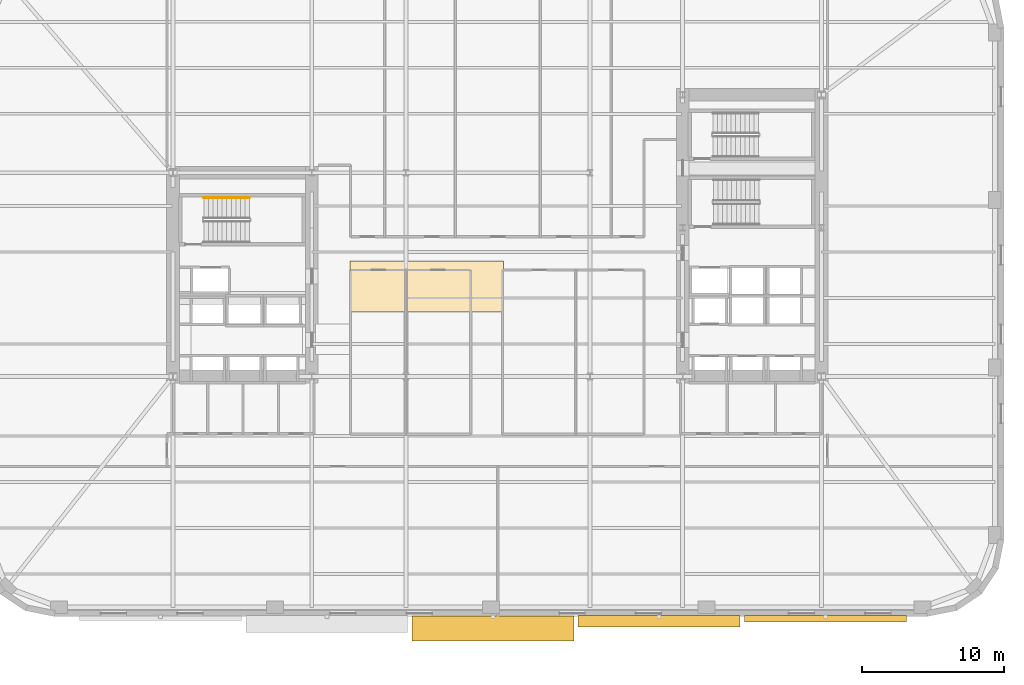
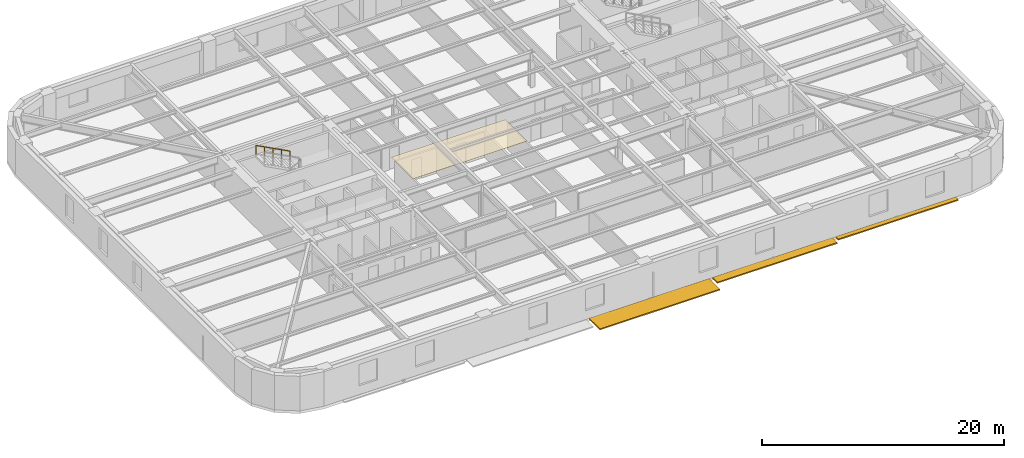
# One storey, part 10 of 14: 3 shading devices, 1 covering, 1 railing.
"""IFC4 building model written with IfcOpenShell, lengths in metres."""

from ifc_helpers import new_model, si_unit, direction, frame, origin, origin_2d, place, context, subcontext, project, spatial, polyline, rectangle, circle, outline, extrude, material, layer, layer_set, type_object, element, save


model = new_model("IFC4")

# Units and contexts
model_context = context("Model", 3, precision=1e-05, world=origin(), true_north=direction((0.0, 1.0)))
body_context = subcontext(model_context, "Body", "Model", "MODEL_VIEW")
ifc_project = project(units=[si_unit("LENGTHUNIT", "METRE"), si_unit("AREAUNIT", "SQUARE_METRE"), si_unit("VOLUMEUNIT", "CUBIC_METRE"), si_unit("PLANEANGLEUNIT", "RADIAN"), si_unit("MASSUNIT", "GRAM", prefix="KILO")], contexts=[model_context])

# Site, building, storey
site_placement = place(None, origin())
site = spatial("IfcSite", under=ifc_project, at=site_placement, CompositionType="ELEMENT")
building_placement = place(site_placement, origin())
building = spatial("IfcBuilding", under=site, at=building_placement, Name="Kolvaren Arena Tower", CompositionType="ELEMENT")
storey_placement = place(building_placement, frame((0.0, 0.0, 87.0)))
storey = spatial("IfcBuildingStorey", under=building, at=storey_placement, Name="L19", CompositionType="ELEMENT", Elevation=87.0)

# Covering
ifc_material_1 = material(Name="Mineral fibre acoustic ceiling tile", Category="gypsum")
ifc_layer = layer(ifc_material_1, 0.02490234375)
ifc_layer_set = layer_set([ifc_layer], Name="Mineral fibre acoustic ceiling tile")
covering_type = type_object("IfcCoveringType", Name="CEIL-ACT-1", PredefinedType="CEILING", material=ifc_layer_set)
covering_placement = place(storey_placement, frame((0.0, 0.0, 2.52001953125)))
element("IfcCovering", 1, at=covering_placement, inside=storey, type_object=covering_type, Name="Suspended Ceiling (L19)", PredefinedType="CEILING", context=body_context, shape_type="SweptSolid", body=[
    extrude(outline(polyline([(27.050048828125, 24.0), (27.050048828125, 27.60009765625), (37.89990234375, 27.60009765625), (37.89990234375, 24.0), (27.050048828125, 24.0)])), origin(), (0.0, 0.0, 1.0), 0.02490234375),
])

# Railing
ifc_material_2 = material(Name="Brushed stainless steel handrail", Category="steel")
railing_type = type_object("IfcRailingType", Name="HRAIL-900", PredefinedType="HANDRAIL", material=ifc_material_2)
railing_placement = place(storey_placement, frame((19.9599609375, 32.080078125, 2.04541015625)))
element("IfcRailing", 2, at=railing_placement, inside=storey, type_object=railing_type, Name="L19 ST-W1 stair handrail 2", PredefinedType="HANDRAIL", context=body_context, shape_type="SweptSolid", body=[
    extrude(circle(Radius=0.02392578125, at=origin_2d()), frame((0.0, 0.0, 0.8759765625), z_axis=(-0.884993431791, 0.0, 0.465603506952), x_axis=(0.0, -1.0, 0.0)), (0.0, 0.0, 1.0), 3.6611328125),
    extrude(circle(Radius=0.02099609375, at=origin_2d()), origin(), (0.0, 0.0, 1.0), 0.851806640625),
    extrude(circle(Radius=0.02099609375, at=origin_2d()), frame((-0.81005859375, 0.0, 0.42626953125)), (0.0, 0.0, 1.0), 0.851806640625),
    extrude(circle(Radius=0.02099609375, at=origin_2d()), frame((-1.6201171875, 0.0, 0.852294921875)), (0.0, 0.0, 1.0), 0.851806640625),
    extrude(circle(Radius=0.02099609375, at=origin_2d()), frame((-2.429931640625, 0.0, 1.2783203125)), (0.0, 0.0, 1.0), 0.851806640625),
    extrude(circle(Radius=0.02099609375, at=origin_2d()), frame((-3.239990234375, 0.0, 1.70458984375)), (0.0, 0.0, 1.0), 0.851806640625),
])

# Shading devices
ifc_material_3 = material(Name="Architectural precast GFRC and anodised aluminium sunshade", Category="concrete")
shading_device_type_1 = type_object("IfcShadingDeviceType", Name="SHAD-SINE-A", PredefinedType="USERDEFINED", material=ifc_material_3)
shading_device_1_placement = place(storey_placement, frame((60.6298828125, 2.334228515625, -0.14013671875), z_axis=(0.0, 0.0, 1.0), x_axis=(-1.0, 0.0, 0.0)))
element("IfcShadingDevice", 3, at=shading_device_1_placement, inside=storey, type_object=shading_device_type_1, Name="Sinusoidal Slab-Edge Sunshade Louvre (L19)", ObjectType="LOUVRE", PredefinedType="USERDEFINED", context=body_context, shape_type="SweptSolid", body=[
    extrude(rectangle(XDim=11.43994140625, YDim=0.431640625, at=origin_2d()), origin(), (0.0, 0.0, 1.0), 0.1201171875),
])
shading_device_2_placement = place(storey_placement, frame((48.889892578125, 2.14599609375, -0.14013671875), z_axis=(0.0, 0.0, 1.0), x_axis=(-1.0, 0.0, 0.0)))
element("IfcShadingDevice", 4, at=shading_device_2_placement, inside=storey, type_object=shading_device_type_1, Name="Sinusoidal Slab-Edge Sunshade Louvre (L19)", ObjectType="LOUVRE", PredefinedType="USERDEFINED", context=body_context, shape_type="SweptSolid", body=[
    extrude(rectangle(XDim=11.43994140625, YDim=0.80810546875, at=origin_2d()), origin(), (0.0, 0.0, 1.0), 0.1201171875),
])
shading_device_type_2 = type_object("IfcShadingDeviceType", Name="SHAD-SINE-B", PredefinedType="JALOUSIE", material=ifc_material_3)
shading_device_3_placement = place(storey_placement, frame((37.14990234375, 1.66357421875, -0.14013671875), z_axis=(0.0, 0.0, 1.0), x_axis=(-1.0, 0.0, 0.0)))
element("IfcShadingDevice", 5, at=shading_device_3_placement, inside=storey, type_object=shading_device_type_2, Name="Sinusoidal Slab-Edge Sunshade Louvre (L19)", PredefinedType="JALOUSIE", context=body_context, shape_type="SweptSolid", body=[
    extrude(rectangle(XDim=11.43994140625, YDim=1.772705078125, at=origin_2d()), origin(), (0.0, 0.0, 1.0), 0.1201171875),
])

save(model, "model.ifc")
